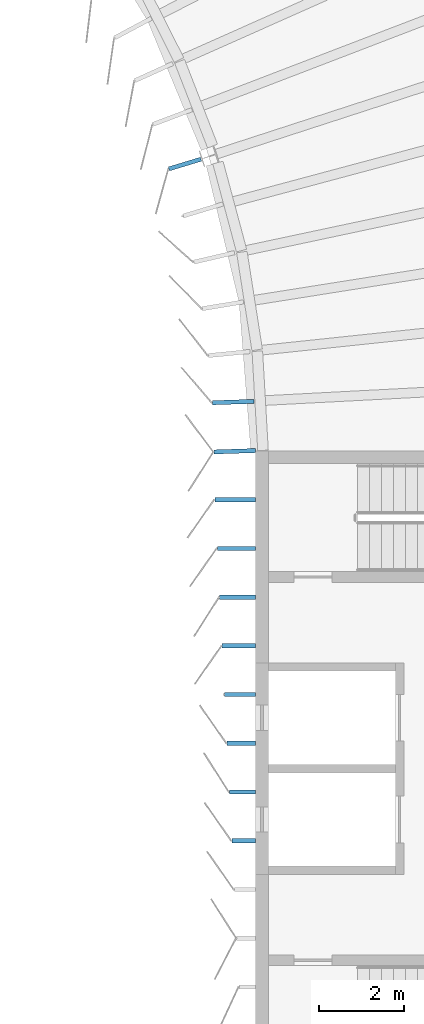
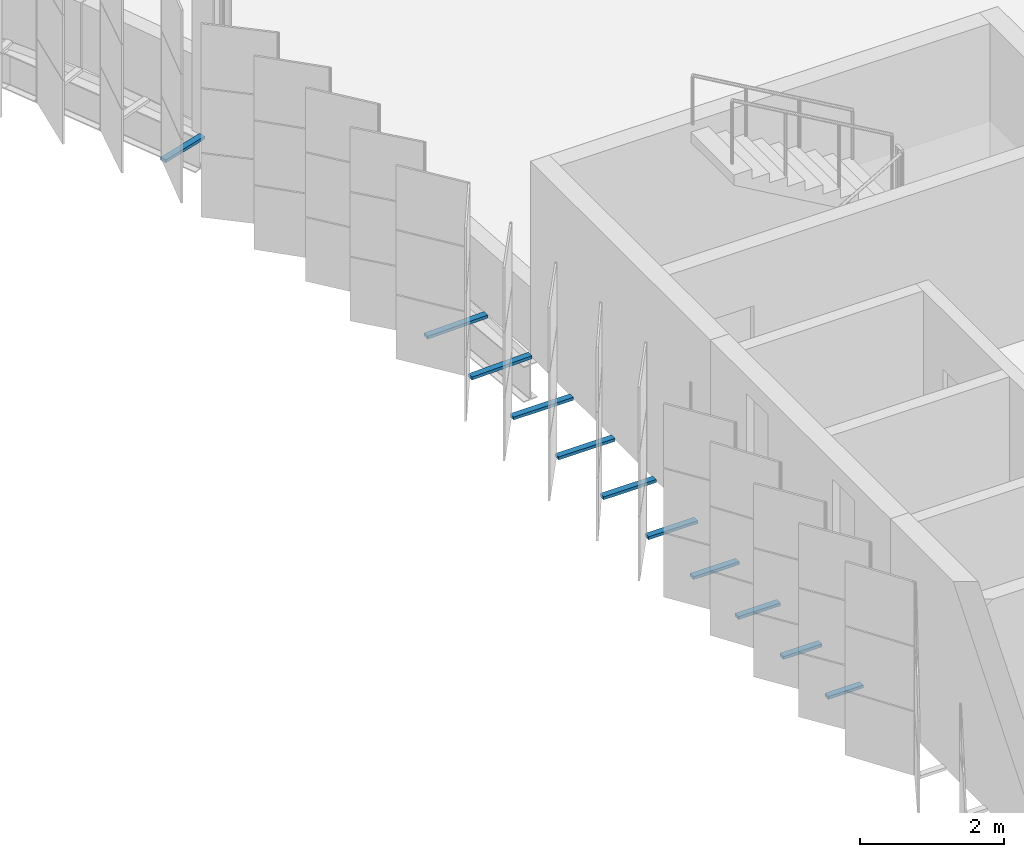
# One storey, part 184 of 214: 11 discrete accessories.
"""IFC4 building model written with IfcOpenShell, lengths in metres."""

import ifcopenshell
import ifcopenshell.guid

model = None  # the IFC model being written
_history = None  # IfcOwnerHistory: only IFC2X3 demands one
_inside = {}  # id of a spatial element -> (the spatial element, [elements in it])
_under = {}  # id of a project, library or spatial element -> (it, [spatial elements below it])
_declared = {}  # id of a project -> (the project, [libraries it declares])
_typed = {}  # id of a type object -> (the type object, [elements of that type])
_made_of = {}  # id of a material, layer set ... -> (it, [elements and type objects made of it])


def new_model(schema):
    """Start an empty IFC model of exactly this schema.

    Asked for "IFC4X3", IfcOpenShell would pick the latest addendum, in which some entities
    have other attributes; the version numbers below select the first issue.
    IFC2X3 requires an IfcOwnerHistory on every rooted entity: one is made here for all.
    """
    global model, _history
    if schema == "IFC4X3":
        model = ifcopenshell.file(schema_version=(4, 3, 0, 0))
    else:
        model = ifcopenshell.file(schema=schema)
    _inside.clear()
    _under.clear()
    _declared.clear()
    _typed.clear()
    _made_of.clear()
    _history = None
    if model.schema == "IFC2X3":
        org = make("IfcOrganization", Name="unknown")
        user = make(
            "IfcPersonAndOrganization",
            ThePerson=make("IfcPerson", FamilyName="unknown"),
            TheOrganization=org,
        )
        app = make(
            "IfcApplication",
            ApplicationDeveloper=org,
            Version="unknown",
            ApplicationFullName="unknown",
            ApplicationIdentifier="unknown",
        )
        _history = make(
            "IfcOwnerHistory",
            OwningUser=user,
            OwningApplication=app,
            ChangeAction="ADDED",
            CreationDate=0,
        )
    return model


def make(cls, **values):
    """One entity of the class cls with the attributes given. An attribute that is None is left unset."""
    return model.create_entity(
        cls, **{name: value for name, value in values.items() if value is not None}
    )


def rooted(cls, **values):
    """An entity with a GlobalId (a new one), such as an element, a storey or a relation."""
    return make(cls, GlobalId=ifcopenshell.guid.new(), OwnerHistory=_history, **values)


def si_unit(unit_type, name, prefix=None):
    """IfcSIUnit, for example si_unit("LENGTHUNIT", "METRE", prefix="MILLI")."""
    return make("IfcSIUnit", UnitType=unit_type, Prefix=prefix, Name=name)


def assignment(units):
    """IfcUnitAssignment: the units of a project."""
    return None if units is None else make("IfcUnitAssignment", Units=units)


def point(xyz):
    """IfcCartesianPoint."""
    return None if xyz is None else make("IfcCartesianPoint", Coordinates=xyz)


def direction(xyz):
    """IfcDirection."""
    return None if xyz is None else make("IfcDirection", DirectionRatios=xyz)


def frame(location, z_axis=None, x_axis=None):
    """IfcAxis2Placement3D, a coordinate frame: its origin and axes. An axis left out is left unset."""
    return make(
        "IfcAxis2Placement3D",
        Location=point(location),
        Axis=direction(z_axis),
        RefDirection=direction(x_axis),
    )


def frame_2d(location, x_axis=None):
    """IfcAxis2Placement2D, a coordinate frame in the plane: its origin and x axis."""
    return make(
        "IfcAxis2Placement2D", Location=point(location), RefDirection=direction(x_axis)
    )


def origin():
    """The frame at (0, 0, 0) with its axes left unset."""
    return frame((0.0, 0.0, 0.0))


def origin_2d():
    """The frame at (0, 0) in the plane with its x axis left unset."""
    return frame_2d((0.0, 0.0))


def place(relative_to, where):
    """IfcLocalPlacement: puts the frame where relative to a parent placement (None: the world)."""
    return make(
        "IfcLocalPlacement", PlacementRelTo=relative_to, RelativePlacement=where
    )


def context(
    kind, dimensions, precision=None, world=None, true_north=None, identifier=None
):
    """IfcGeometricRepresentationContext, for example the 3D "Model" context."""
    return make(
        "IfcGeometricRepresentationContext",
        ContextIdentifier=identifier,
        ContextType=kind,
        CoordinateSpaceDimension=dimensions,
        Precision=precision,
        WorldCoordinateSystem=world,
        TrueNorth=true_north,
    )


def subcontext(parent, identifier, kind, view, scale=None):
    """IfcGeometricRepresentationSubContext, for example "Body" below "Model"."""
    return make(
        "IfcGeometricRepresentationSubContext",
        ContextIdentifier=identifier,
        ContextType=kind,
        ParentContext=parent,
        TargetScale=scale,
        TargetView=view,
    )


def project(units=None, contexts=None):
    """IfcProject with its units and contexts."""
    return rooted(
        "IfcProject",
        Name="project",
        RepresentationContexts=contexts,
        UnitsInContext=assignment(units),
    )


def spatial(cls, under=None, at=None, **own):
    """A site, building, storey or space (cls), placed at a placement, below another one or the project."""
    s = rooted(cls, ObjectPlacement=at, **own)
    if under is not None:
        _under.setdefault(under.id(), (under, []))[1].append(s)
    return s


def profile(cls, at=None, kind="AREA", **sizes):
    """A parametric profile (cls). Its sizes go by their IFC names, for example OverallWidth=200.0."""
    return make(cls, ProfileType=kind, Position=at, **sizes)


def rectangle(**sizes):
    """IfcRectangleProfileDef."""
    return profile("IfcRectangleProfileDef", **sizes)


def extrude(swept, where, along, depth):
    """IfcExtrudedAreaSolid: the profile swept, set in the frame where, extruded along a direction by depth."""
    return make(
        "IfcExtrudedAreaSolid",
        SweptArea=swept,
        Position=where,
        ExtrudedDirection=direction(along),
        Depth=depth,
    )


def shape(context_of_items, identifier, shape_type, items):
    """IfcShapeRepresentation: the items that make up one representation, for example the "Body"."""
    return make(
        "IfcShapeRepresentation",
        ContextOfItems=context_of_items,
        RepresentationIdentifier=identifier,
        RepresentationType=shape_type,
        Items=items,
    )


def material(Name=None, Category=None):
    """IfcMaterial."""
    return make("IfcMaterial", Name=Name, Category=Category)


def made_of(thing, what):
    """Note that an element or type object is made of a material, layer set ...; save() writes the relation."""
    if what is not None:
        _made_of.setdefault(what.id(), (what, []))[1].append(thing)
    return thing


def type_object(cls, material=None, **own):
    """A type object (cls), such as IfcWallType, which elements share."""
    return made_of(rooted(cls, **own), material)


def element(
    cls,
    number,
    at=None,
    inside=None,
    cuts=None,
    type_object=None,
    material=None,
    context=None,
    identifier="Body",
    shape_type=None,
    held_by="IfcProductDefinitionShape",
    body=None,
    shapes=None,
    **own,
):
    """One element of the class cls, such as IfcWall. Its Tag is "e" and its number.

    at: its placement. inside: the storey or other place that contains it. cuts: it is an
    opening in that element (IfcRelVoidsElement). A single representation is given by context,
    identifier, shape_type and body (its items); several are given by shapes. held_by: the class
    of the entity that holds the representations. save() writes the other relations.
    """
    e = rooted(cls, Tag="e%d" % number, ObjectPlacement=at, **own)
    if body is not None:
        shapes = [shape(context, identifier, shape_type, body)]
    if shapes is not None:
        e.Representation = make(held_by, Representations=shapes)
    if inside is not None:
        _inside.setdefault(inside.id(), (inside, []))[1].append(e)
    if cuts is not None:
        rooted(
            "IfcRelVoidsElement", RelatingBuildingElement=cuts, RelatedOpeningElement=e
        )
    if type_object is not None:
        _typed.setdefault(type_object.id(), (type_object, []))[1].append(e)
    return made_of(e, material)


def aggregate(whole, parts):
    """IfcRelAggregates: a whole, such as a stair, and the parts it consists of."""
    return rooted("IfcRelAggregates", RelatingObject=whole, RelatedObjects=parts)


def save(model, path):
    """Write the relations noted so far, then the file.

    IfcRelAggregates (storeys below a building ...), IfcRelContainedInSpatialStructure (elements
    in a storey), IfcRelDefinesByType, IfcRelAssociatesMaterial and IfcRelDeclares: one each for
    every whole, place, type object, material and project.
    """
    for whole, parts in _under.values():
        aggregate(whole, parts)
    for where, things in _inside.values():
        rooted(
            "IfcRelContainedInSpatialStructure",
            RelatedElements=things,
            RelatingStructure=where,
        )
    for kind, things in _typed.values():
        rooted("IfcRelDefinesByType", RelatedObjects=things, RelatingType=kind)
    for what, things in _made_of.values():
        rooted("IfcRelAssociatesMaterial", RelatedObjects=things, RelatingMaterial=what)
    for by, libraries in _declared.values():
        rooted("IfcRelDeclares", RelatingContext=by, RelatedDefinitions=libraries)
    model.write(path)


model = new_model("IFC4")

# Units and contexts
model_context = context("Model", 3, precision=1e-05, world=origin(), true_north=direction((0.0, 1.0)))
body_context = subcontext(model_context, "Body", "Model", "MODEL_VIEW")
ifc_project = project(units=[si_unit("LENGTHUNIT", "METRE"), si_unit("AREAUNIT", "SQUARE_METRE"), si_unit("VOLUMEUNIT", "CUBIC_METRE"), si_unit("PLANEANGLEUNIT", "RADIAN"), si_unit("MASSUNIT", "GRAM", prefix="KILO")], contexts=[model_context])

# Site, building, storey
site_placement = place(None, origin())
site = spatial("IfcSite", under=ifc_project, at=site_placement, CompositionType="ELEMENT")
building_placement = place(site_placement, origin())
building = spatial("IfcBuilding", under=site, at=building_placement, Name="Parallax Yard Mobility Hub", CompositionType="ELEMENT")
storey_placement = place(building_placement, frame((0.0, 0.0, 3.300048828125)))
storey = spatial("IfcBuildingStorey", under=building, at=storey_placement, Name="L01", CompositionType="ELEMENT", Elevation=3.300048828125)

# Discrete accessories
ifc_material = material(Name="Steel ASTM A36, hot-dip galvanised", Category="steel")
discrete_accessory_type = type_object("IfcDiscreteAccessoryType", Name="Hinge bracket plate 100x50", PredefinedType="BRACKET", material=ifc_material)
discrete_accessory_1_placement = place(storey_placement, frame((193.330810546875, 96.774658203125, -0.02490234375), z_axis=(0.0, 0.0, 1.0), x_axis=(-0.956940335732, -0.290284677254, 0.0)))
element("IfcDiscreteAccessory", 1, at=discrete_accessory_1_placement, inside=storey, type_object=discrete_accessory_type, Name="Hinge bracket plate bay 22.1 level L01", PredefinedType="BRACKET", context=body_context, shape_type="SweptSolid", body=[
    extrude(rectangle(XDim=0.792236328125, YDim=0.10009765625, at=origin_2d()), origin(), (0.0, 0.0, 1.0), 0.050048828125),
])
for number, where, z_axis, x_axis, name in (
    (2, (194.47021484375, 91.155029296875, -0.02490234375), (0.0, 0.0, 1.0), (-0.999464587476, -0.032719082822, 0.0), "Hinge bracket plate bay 22.6 level L01"),
    (3, (194.50830078125, 89.993408203125, -0.02490234375), (0.0, 0.0, 1.0), (-0.999464587476, -0.032719082822, 0.0), "Hinge bracket plate bay 23.1 level L01"),
):
    element("IfcDiscreteAccessory", number, at=place(storey_placement, frame(where, z_axis=z_axis, x_axis=x_axis)), inside=storey, type_object=discrete_accessory_type, Name=name, PredefinedType="BRACKET", context=body_context, shape_type="SweptSolid", body=[
        extrude(rectangle(XDim=0.984130859375, YDim=0.10009765625, at=origin_2d()), origin(), (0.0, 0.0, 1.0), 0.050048828125),
    ])
discrete_accessory_2_placement = place(storey_placement, frame((194.518310546875, 88.849609375, -0.02490234375), z_axis=(0.0, 0.0, 1.0), x_axis=(-1.0, 0.0, 0.0)))
element("IfcDiscreteAccessory", 4, at=discrete_accessory_2_placement, inside=storey, type_object=discrete_accessory_type, Name="Hinge bracket plate bay 23.2 level L01", PredefinedType="BRACKET", context=body_context, shape_type="SweptSolid", body=[
    extrude(rectangle(XDim=0.96435546875, YDim=0.10009765625, at=origin_2d()), origin(), (0.0, 0.0, 1.0), 0.050048828125),
])
discrete_accessory_3_placement = place(storey_placement, frame((194.547119140625, 87.69921875, -0.02490234375), z_axis=(0.0, 0.0, 1.0), x_axis=(-1.0, 0.0, 0.0)))
element("IfcDiscreteAccessory", 5, at=discrete_accessory_3_placement, inside=storey, type_object=discrete_accessory_type, Name="Hinge bracket plate bay 23.3 level L01", PredefinedType="BRACKET", context=body_context, shape_type="SweptSolid", body=[
    extrude(rectangle(XDim=0.906982421875, YDim=0.10009765625, at=origin_2d()), origin(), (0.0, 0.0, 1.0), 0.050048828125),
])
discrete_accessory_4_placement = place(storey_placement, frame((194.57568359375, 86.549072265625, -0.02490234375), z_axis=(0.0, 0.0, 1.0), x_axis=(-1.0, 0.0, 0.0)))
element("IfcDiscreteAccessory", 6, at=discrete_accessory_4_placement, inside=storey, type_object=discrete_accessory_type, Name="Hinge bracket plate bay 23.4 level L01", PredefinedType="BRACKET", context=body_context, shape_type="SweptSolid", body=[
    extrude(rectangle(XDim=0.849365234375, YDim=0.10009765625, at=origin_2d()), origin(), (0.0, 0.0, 1.0), 0.050048828125),
])
discrete_accessory_5_placement = place(storey_placement, frame((194.6044921875, 85.39892578125, -0.02490234375), z_axis=(0.0, 0.0, 1.0), x_axis=(-1.0, 0.0, 0.0)))
element("IfcDiscreteAccessory", 7, at=discrete_accessory_5_placement, inside=storey, type_object=discrete_accessory_type, Name="Hinge bracket plate bay 23.5 level L01", PredefinedType="BRACKET", context=body_context, shape_type="SweptSolid", body=[
    extrude(rectangle(XDim=0.7919921875, YDim=0.10009765625, at=origin_2d()), origin(), (0.0, 0.0, 1.0), 0.050048828125),
])
discrete_accessory_6_placement = place(storey_placement, frame((194.63330078125, 84.248779296875, -0.02490234375), z_axis=(0.0, 0.0, 1.0), x_axis=(-1.0, 0.0, 0.0)))
element("IfcDiscreteAccessory", 8, at=discrete_accessory_6_placement, inside=storey, type_object=discrete_accessory_type, Name="Hinge bracket plate bay 23.6 level L01", PredefinedType="BRACKET", context=body_context, shape_type="SweptSolid", body=[
    extrude(rectangle(XDim=0.734375, YDim=0.10009765625, at=origin_2d()), origin(), (0.0, 0.0, 1.0), 0.050048828125),
])
discrete_accessory_7_placement = place(storey_placement, frame((194.662109375, 83.098388671875, -0.02490234375), z_axis=(0.0, 0.0, 1.0), x_axis=(-1.0, 0.0, 0.0)))
element("IfcDiscreteAccessory", 9, at=discrete_accessory_7_placement, inside=storey, type_object=discrete_accessory_type, Name="Hinge bracket plate bay 23.7 level L01", PredefinedType="BRACKET", context=body_context, shape_type="SweptSolid", body=[
    extrude(rectangle(XDim=0.677001953125, YDim=0.10009765625, at=origin_2d()), origin(), (0.0, 0.0, 1.0), 0.050048828125),
])
discrete_accessory_8_placement = place(storey_placement, frame((194.69091796875, 81.948486328125, -0.02490234375), z_axis=(0.0, 0.0, 1.0), x_axis=(-1.0, 0.0, 0.0)))
element("IfcDiscreteAccessory", 10, at=discrete_accessory_8_placement, inside=storey, type_object=discrete_accessory_type, Name="Hinge bracket plate bay 23.8 level L01", PredefinedType="BRACKET", context=body_context, shape_type="SweptSolid", body=[
    extrude(rectangle(XDim=0.619384765625, YDim=0.10009765625, at=origin_2d()), origin(), (0.0, 0.0, 1.0), 0.050048828125),
])
discrete_accessory_9_placement = place(storey_placement, frame((194.719482421875, 80.798095703125, -0.02490234375), z_axis=(0.0, 0.0, 1.0), x_axis=(-1.0, 0.0, 0.0)))
element("IfcDiscreteAccessory", 11, at=discrete_accessory_9_placement, inside=storey, type_object=discrete_accessory_type, Name="Hinge bracket plate bay 23.9 level L01", PredefinedType="BRACKET", context=body_context, shape_type="SweptSolid", body=[
    extrude(rectangle(XDim=0.56201171875, YDim=0.10009765625, at=origin_2d()), origin(), (0.0, 0.0, 1.0), 0.050048828125),
])

save(model, "model.ifc")
